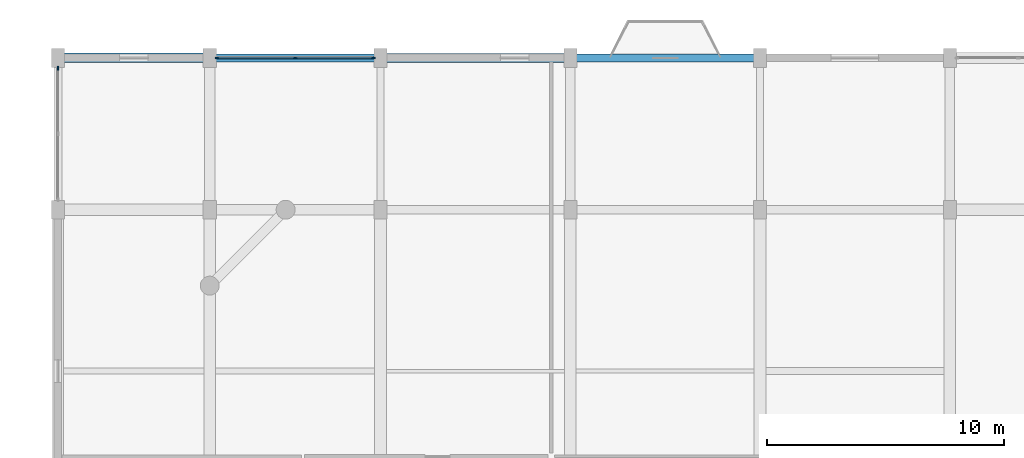
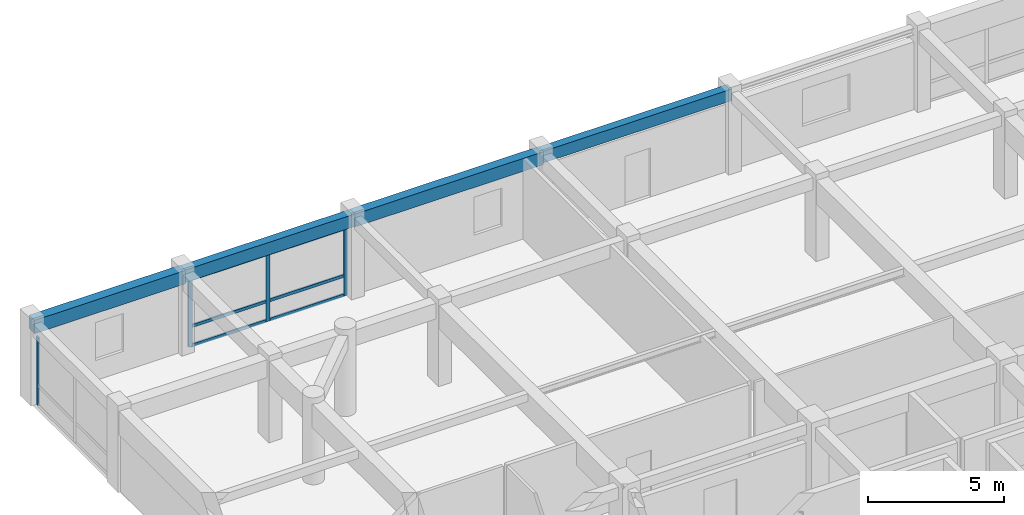
# One storey, part 8 of 15: 10 members, 4 beams, 2 elements without a shape of their own.
"""IFC4 building model written with IfcOpenShell, lengths in metres."""

from ifc_helpers import new_model, si_unit, direction, frame, origin, origin_2d, place, context, subcontext, project, spatial, rectangle, extrude, material, material_profile, profile_set, type_object, element, aggregate, save


model = new_model("IFC4")

# Units and contexts
model_context = context("Model", 3, precision=1e-05, world=origin(), true_north=direction((0.0, 1.0)))
body_context = subcontext(model_context, "Body", "Model", "MODEL_VIEW")
ifc_project = project(units=[si_unit("LENGTHUNIT", "METRE"), si_unit("AREAUNIT", "SQUARE_METRE"), si_unit("VOLUMEUNIT", "CUBIC_METRE"), si_unit("PLANEANGLEUNIT", "RADIAN"), si_unit("MASSUNIT", "GRAM", prefix="KILO")], contexts=[model_context])

# Site, building, storey
site_placement = place(None, origin())
site = spatial("IfcSite", under=ifc_project, at=site_placement, CompositionType="ELEMENT")
building_placement = place(site_placement, origin())
building = spatial("IfcBuilding", under=site, at=building_placement, Name="Vellmiral Cinema and Media Centre", CompositionType="ELEMENT")
storey_placement = place(building_placement, frame((0.0, 0.0, 31.699951171875)))
storey = spatial("IfcBuildingStorey", under=building, at=storey_placement, Name="L07", CompositionType="ELEMENT", Elevation=31.699951171875)

# Curtain wall, members
ifc_material_1 = material(Name="Thermally Broken Aluminium and Triple Glazing", Category="aluminium")
curtain_wall_type_1 = type_object("IfcCurtainWallType", Name="CW-TOWER-LOW-S", PredefinedType="USERDEFINED", material=ifc_material_1)
curtain_wall_1_placement = place(storey_placement, origin())
curtain_wall_1 = element("IfcCurtainWall", 1, at=curtain_wall_1_placement, inside=storey, type_object=curtain_wall_type_1, Name="Curtain Wall L07-B022", ObjectType="UNITISED CURTAIN WALL", PredefinedType="USERDEFINED")
ifc_material_2 = material(Name="Thermally Broken Anodised Aluminium", Category="aluminium")
ifc_material_profile_1 = material_profile(ifc_material_2, rectangle(XDim=0.06494140625, YDim=0.159912109375, at=origin_2d()), Name="MULL 65x160")
ifc_profile_set_1 = profile_set([ifc_material_profile_1], Name="Thermally Broken Anodised Aluminium")
member_type_1 = type_object("IfcMemberType", Name="CWM-65x160", PredefinedType="MULLION", material=ifc_profile_set_1)
member_1_placement = place(storey_placement, frame((123.6923828125, 115.199951171875, 0.0), z_axis=(0.0, 0.0, 1.0), x_axis=(0.0, -1.0, 0.0)))
member_1 = element("IfcMember", 2, at=member_1_placement, type_object=member_type_1, Name="CW-06 mullion 1", PredefinedType="MULLION", context=body_context, shape_type="SweptSolid", body=[
    extrude(rectangle(XDim=0.06494140625, YDim=0.159912109375, at=origin_2d()), origin(), (0.0, 0.0, 1.0), 3.0400390625),
])
member_2_placement = place(storey_placement, frame((120.39990234375, 115.199951171875, 0.0), z_axis=(0.0, 0.0, 1.0), x_axis=(0.0, -1.0, 0.0)))
member_2 = element("IfcMember", 3, at=member_2_placement, type_object=member_type_1, Name="CW-06 mullion 2", PredefinedType="MULLION", context=body_context, shape_type="SweptSolid", body=[
    extrude(rectangle(XDim=0.06494140625, YDim=0.159912109375, at=origin_2d()), origin(), (0.0, 0.0, 1.0), 3.0400390625),
])
member_3_placement = place(storey_placement, frame((117.107421875, 115.199951171875, 0.0), z_axis=(0.0, 0.0, 1.0), x_axis=(0.0, -1.0, 0.0)))
member_3 = element("IfcMember", 4, at=member_3_placement, type_object=member_type_1, Name="CW-06 mullion 3", PredefinedType="MULLION", context=body_context, shape_type="SweptSolid", body=[
    extrude(rectangle(XDim=0.06494140625, YDim=0.159912109375, at=origin_2d()), origin(), (0.0, 0.0, 1.0), 3.0400390625),
])

# Curtain wall, member
ifc_material_3 = material(Name="Thermally Broken Aluminium and Triple Glazing", Category="aluminium")
curtain_wall_type_2 = type_object("IfcCurtainWallType", Name="CW-TOWER-LOW-N", PredefinedType="USERDEFINED", material=ifc_material_3)
curtain_wall_2_placement = place(storey_placement, origin())
curtain_wall_2 = element("IfcCurtainWall", 5, at=curtain_wall_2_placement, inside=storey, type_object=curtain_wall_type_2, Name="Curtain Wall L07-B024", ObjectType="UNITISED CURTAIN WALL", PredefinedType="USERDEFINED")
member_4_placement = place(storey_placement, frame((110.39990234375, 114.767578125, 0.0), z_axis=(0.0, 0.0, 1.0), x_axis=(1.0, 0.0, 0.0)))
member_4 = element("IfcMember", 6, at=member_4_placement, type_object=member_type_1, Name="CW-05 mullion 1", PredefinedType="MULLION", context=body_context, shape_type="SweptSolid", body=[
    extrude(rectangle(XDim=0.06494140625, YDim=0.159912109375, at=origin_2d()), origin(), (0.0, 0.0, 1.0), 3.0400390625),
])
aggregate(curtain_wall_2, [member_4])

# Member
ifc_material_4 = material(Name="Thermally Broken Anodised Aluminium", Category="aluminium")
ifc_material_profile_2 = material_profile(ifc_material_4, rectangle(XDim=0.06494140625, YDim=0.135009765625, at=origin_2d()), Name="MULL 65x135")
ifc_profile_set_2 = profile_set([ifc_material_profile_2], Name="Thermally Broken Anodised Aluminium")
member_type_2 = type_object("IfcMemberType", Name="CWT-65x135", PredefinedType="USERDEFINED", material=ifc_profile_set_2)
member_5_placement = place(storey_placement, frame((123.659912109375, 115.199951171875, 0.032470703125), z_axis=(-1.0, 0.0, 0.0), x_axis=(0.0, -1.0, 0.0)))
member_5 = element("IfcMember", 7, at=member_5_placement, type_object=member_type_2, Name="CW-06 transom 1.1", ObjectType="TRANSOM", PredefinedType="USERDEFINED", context=body_context, shape_type="SweptSolid", body=[
    extrude(rectangle(XDim=0.06494140625, YDim=0.135009765625, at=origin_2d()), origin(), (0.0, 0.0, 1.0), 3.227294921875),
])

member_6_placement = place(storey_placement, frame((123.659912109375, 115.199951171875, 0.900146484375), z_axis=(-1.0, 0.0, 0.0), x_axis=(0.0, -1.0, 0.0)))
member_6 = element("IfcMember", 8, at=member_6_placement, type_object=member_type_2, Name="CW-06 transom 1.2", ObjectType="TRANSOM", PredefinedType="USERDEFINED", context=body_context, shape_type="SweptSolid", body=[
    extrude(rectangle(XDim=0.06494140625, YDim=0.135009765625, at=origin_2d()), origin(), (0.0, 0.0, 1.0), 3.227294921875),
])

member_7_placement = place(storey_placement, frame((123.659912109375, 115.199951171875, 3.007568359375), z_axis=(-1.0, 0.0, 0.0), x_axis=(0.0, -1.0, 0.0)))
member_7 = element("IfcMember", 9, at=member_7_placement, type_object=member_type_2, Name="CW-06 transom 1.3", ObjectType="TRANSOM", PredefinedType="USERDEFINED", context=body_context, shape_type="SweptSolid", body=[
    extrude(rectangle(XDim=0.06494140625, YDim=0.135009765625, at=origin_2d()), origin(), (0.0, 0.0, 1.0), 3.227294921875),
])

member_8_placement = place(storey_placement, frame((120.367431640625, 115.199951171875, 0.032470703125), z_axis=(-1.0, 0.0, 0.0), x_axis=(0.0, -1.0, 0.0)))
member_8 = element("IfcMember", 10, at=member_8_placement, type_object=member_type_2, Name="CW-06 transom 2.1", ObjectType="TRANSOM", PredefinedType="USERDEFINED", context=body_context, shape_type="SweptSolid", body=[
    extrude(rectangle(XDim=0.06494140625, YDim=0.135009765625, at=origin_2d()), origin(), (0.0, 0.0, 1.0), 3.2275390625),
])

member_9_placement = place(storey_placement, frame((120.367431640625, 115.199951171875, 0.900146484375), z_axis=(-1.0, 0.0, 0.0), x_axis=(0.0, -1.0, 0.0)))
member_9 = element("IfcMember", 11, at=member_9_placement, type_object=member_type_2, Name="CW-06 transom 2.2", ObjectType="TRANSOM", PredefinedType="USERDEFINED", context=body_context, shape_type="SweptSolid", body=[
    extrude(rectangle(XDim=0.06494140625, YDim=0.135009765625, at=origin_2d()), origin(), (0.0, 0.0, 1.0), 3.2275390625),
])

member_10_placement = place(storey_placement, frame((120.367431640625, 115.199951171875, 3.007568359375), z_axis=(-1.0, 0.0, 0.0), x_axis=(0.0, -1.0, 0.0)))
member_10 = element("IfcMember", 12, at=member_10_placement, type_object=member_type_2, Name="CW-06 transom 2.3", ObjectType="TRANSOM", PredefinedType="USERDEFINED", context=body_context, shape_type="SweptSolid", body=[
    extrude(rectangle(XDim=0.06494140625, YDim=0.135009765625, at=origin_2d()), origin(), (0.0, 0.0, 1.0), 3.2275390625),
])

aggregate(curtain_wall_1, [member_1, member_2, member_3, member_5, member_6, member_7, member_8, member_9, member_10])

# Beams
ifc_material_5 = material(Name="Concrete C40/50", Category="concrete")
ifc_material_profile_3 = material_profile(ifc_material_5, rectangle(XDim=0.35009765625, YDim=0.56005859375, at=origin_2d()), Name="RC 350x560")
ifc_profile_set_3 = profile_set([ifc_material_profile_3], Name="Concrete C40/50")
beam_type_1 = type_object("IfcBeamType", Name="SPD-RC-350x560", PredefinedType="SPANDREL", material=ifc_profile_set_3)
beam_1_placement = place(storey_placement, frame((116.800048828125, 115.199951171875, 3.35498046875), z_axis=(1.0, 0.0, 0.0), x_axis=(0.0, 1.0, 0.0)))
element("IfcBeam", 13, at=beam_1_placement, inside=storey, type_object=beam_type_1, Name="Grid Beam L07-X044", PredefinedType="SPANDREL", context=body_context, shape_type="SweptSolid", body=[
    extrude(rectangle(XDim=0.35009765625, YDim=0.56005859375, at=origin_2d()), origin(), (0.0, 0.0, 1.0), 7.199951171875),
])
ifc_material_6 = material(Name="Concrete C40/50", Category="concrete")
ifc_material_profile_4 = material_profile(ifc_material_6, rectangle(XDim=0.39990234375, YDim=0.60009765625, at=origin_2d()), Name="RC 400x600")
ifc_profile_set_4 = profile_set([ifc_material_profile_4], Name="Concrete C40/50")
beam_type_2 = type_object("IfcBeamType", Name="SPD-RC-400x600", PredefinedType="SPANDREL", material=ifc_profile_set_4)
beam_2_placement = place(storey_placement, frame((110.39990234375, 115.199951171875, 3.3349609375), z_axis=(1.0, 0.0, 0.0), x_axis=(0.0, 1.0, 0.0)))
element("IfcBeam", 14, at=beam_2_placement, inside=storey, type_object=beam_type_2, Name="Grid Beam L07-X043", PredefinedType="SPANDREL", context=body_context, shape_type="SweptSolid", body=[
    extrude(rectangle(XDim=0.39990234375, YDim=0.60009765625, at=origin_2d()), origin(), (0.0, 0.0, 1.0), 6.400146484375),
])
ifc_material_7 = material(Name="Vosges Red Sandstone Masonry", Category="masonry")
ifc_material_profile_5 = material_profile(ifc_material_7, rectangle(XDim=0.340087890625, YDim=0.52001953125, at=origin_2d()), Name="SAND 340x520")
ifc_profile_set_5 = profile_set([ifc_material_profile_5], Name="Vosges Red Sandstone Masonry")
beam_type_3 = type_object("IfcBeamType", Name="SPD-SAND-340x520", PredefinedType="SPANDREL", material=ifc_profile_set_5)
beam_3_placement = place(storey_placement, frame((132.0, 115.199951171875, 3.375), z_axis=(1.0, 0.0, 0.0), x_axis=(0.0, 1.0, 0.0)))
element("IfcBeam", 15, at=beam_3_placement, inside=storey, type_object=beam_type_3, Name="Grid Beam L07-X046", PredefinedType="SPANDREL", context=body_context, shape_type="SweptSolid", body=[
    extrude(rectangle(XDim=0.340087890625, YDim=0.52001953125, at=origin_2d()), origin(), (0.0, 0.0, 1.0), 8.0),
])
ifc_material_8 = material(Name="Vosges Red Sandstone Masonry", Category="masonry")
ifc_material_profile_6 = material_profile(ifc_material_8, rectangle(XDim=0.3798828125, YDim=0.580078125, at=origin_2d()), Name="SAND 380x580")
ifc_profile_set_6 = profile_set([ifc_material_profile_6], Name="Vosges Red Sandstone Masonry")
beam_type_4 = type_object("IfcBeamType", Name="SPD-SAND-380x580", PredefinedType="SPANDREL", material=ifc_profile_set_6)
beam_4_placement = place(storey_placement, frame((124.0, 115.199951171875, 3.344970703125), z_axis=(1.0, 0.0, 0.0), x_axis=(0.0, 1.0, 0.0)))
element("IfcBeam", 16, at=beam_4_placement, inside=storey, type_object=beam_type_4, Name="Grid Beam L07-X045", PredefinedType="SPANDREL", context=body_context, shape_type="SweptSolid", body=[
    extrude(rectangle(XDim=0.3798828125, YDim=0.580078125, at=origin_2d()), origin(), (0.0, 0.0, 1.0), 8.0),
])

save(model, "model.ifc")
